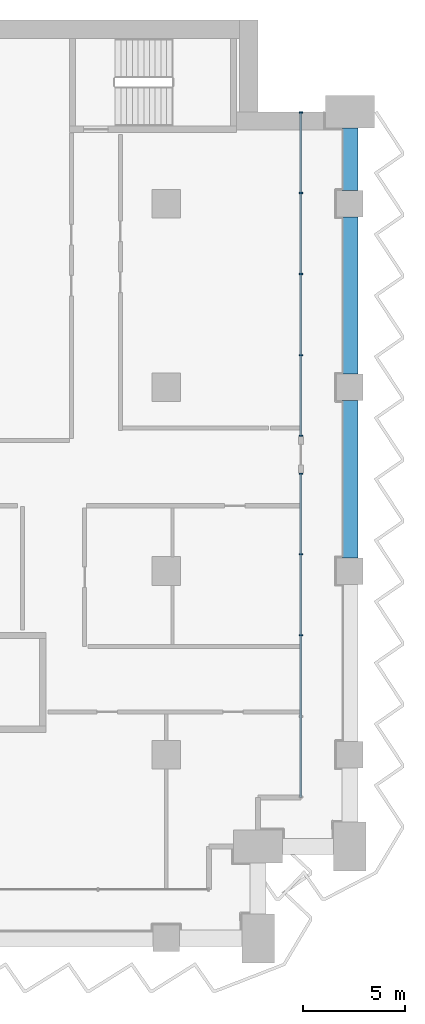
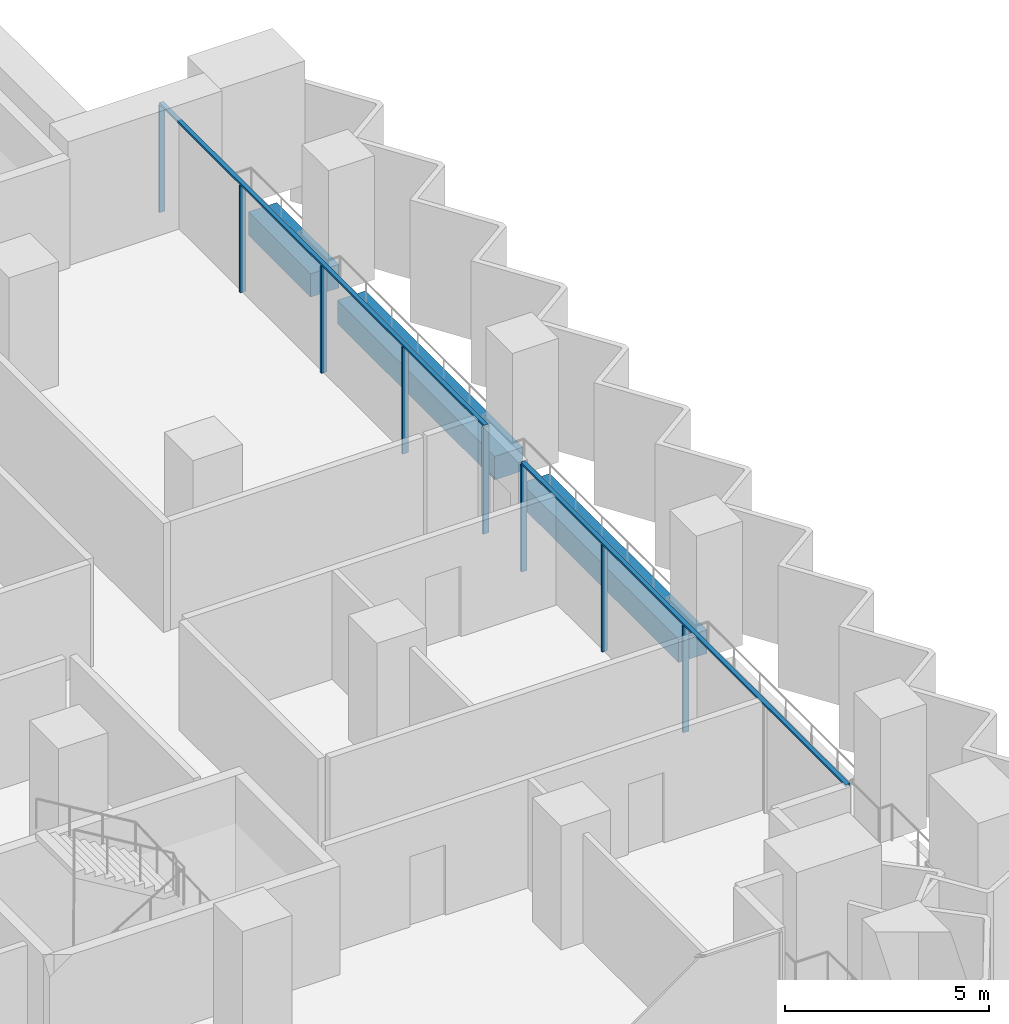
# One storey, part 7 of 28: 10 members, 3 beams, 2 elements without a shape of their own.
"""IFC4 building model written with IfcOpenShell, lengths in metres."""

from ifc_helpers import new_model, si_unit, direction, frame, origin, origin_2d, place, context, subcontext, project, spatial, rectangle, extrude, material, material_profile, profile_set, type_object, element, aggregate, save


model = new_model("IFC4")

# Units and contexts
model_context = context("Model", 3, precision=1e-05, world=origin(), true_north=direction((0.0, 1.0)))
body_context = subcontext(model_context, "Body", "Model", "MODEL_VIEW")
ifc_project = project(units=[si_unit("LENGTHUNIT", "METRE"), si_unit("AREAUNIT", "SQUARE_METRE"), si_unit("VOLUMEUNIT", "CUBIC_METRE"), si_unit("PLANEANGLEUNIT", "RADIAN"), si_unit("MASSUNIT", "GRAM", prefix="KILO")], contexts=[model_context])

# Site, building, storey
site_placement = place(None, origin())
site = spatial("IfcSite", under=ifc_project, at=site_placement, CompositionType="ELEMENT")
building_placement = place(site_placement, origin())
building = spatial("IfcBuilding", under=site, at=building_placement, Name="Hunhe Ridgeline Campus", CompositionType="ELEMENT")
storey_placement = place(building_placement, frame((0.0, 0.0, 76.5)))
storey = spatial("IfcBuildingStorey", under=building, at=storey_placement, Name="L18", CompositionType="ELEMENT", Elevation=76.5)

# Curtain wall, members
ifc_material_1 = material(Name="Aluminium 6063", Category="aluminium")
curtain_wall_type = type_object("IfcCurtainWallType", Name="Curtain wall CW-1", PredefinedType="NOTDEFINED", material=ifc_material_1)
curtain_wall_1_placement = place(storey_placement, origin())
curtain_wall_1 = element("IfcCurtainWall", 1, at=curtain_wall_1_placement, inside=storey, type_object=curtain_wall_type, Name="Curtain wall 15", PredefinedType="NOTDEFINED")
ifc_material_profile_1 = material_profile(ifc_material_1, rectangle(XDim=0.159912109375, YDim=0.06005859375, at=origin_2d()))
ifc_profile_set_1 = profile_set([ifc_material_profile_1], Name="Aluminium 6063")
member_type_1 = type_object("IfcMemberType", Name="CW-1 aluminium mullion", PredefinedType="MULLION", material=ifc_profile_set_1)
member_1_placement = place(storey_placement, frame((96.59912109375, 68.850830078125, 0.0), z_axis=(0.0, 0.0, 1.0), x_axis=(-1.0, 0.0, 0.0)))
member_1 = element("IfcMember", 2, at=member_1_placement, type_object=member_type_1, Name="CW-1 mullion 3", PredefinedType="MULLION", context=body_context, shape_type="SweptSolid", body=[
    extrude(rectangle(XDim=0.159912109375, YDim=0.06005859375, at=origin_2d()), origin(), (0.0, 0.0, 1.0), 3.18994140625),
])
member_2_placement = place(storey_placement, frame((96.59912109375, 72.82568359375, 0.0), z_axis=(0.0, 0.0, 1.0), x_axis=(-1.0, 0.0, 0.0)))
member_2 = element("IfcMember", 3, at=member_2_placement, type_object=member_type_1, Name="CW-1 mullion 4", PredefinedType="MULLION", context=body_context, shape_type="SweptSolid", body=[
    extrude(rectangle(XDim=0.159912109375, YDim=0.06005859375, at=origin_2d()), origin(), (0.0, 0.0, 1.0), 3.18994140625),
])
member_3_placement = place(storey_placement, frame((96.59912109375, 76.7705078125, 0.0), z_axis=(0.0, 0.0, 1.0), x_axis=(-1.0, 0.0, 0.0)))
member_3 = element("IfcMember", 4, at=member_3_placement, type_object=member_type_1, Name="CW-1 mullion 5", PredefinedType="MULLION", context=body_context, shape_type="SweptSolid", body=[
    extrude(rectangle(XDim=0.159912109375, YDim=0.06005859375, at=origin_2d()), origin(), (0.0, 0.0, 1.0), 3.18994140625),
])

curtain_wall_2_placement = place(storey_placement, origin())
curtain_wall_2 = element("IfcCurtainWall", 5, at=curtain_wall_2_placement, inside=storey, type_object=curtain_wall_type, Name="Curtain wall 16", PredefinedType="NOTDEFINED")
member_4_placement = place(storey_placement, frame((96.59912109375, 78.630615234375, 0.0), z_axis=(0.0, 0.0, 1.0), x_axis=(-1.0, 0.0, 0.0)))
member_4 = element("IfcMember", 6, at=member_4_placement, type_object=member_type_1, Name="CW-1 mullion 1", PredefinedType="MULLION", context=body_context, shape_type="SweptSolid", body=[
    extrude(rectangle(XDim=0.159912109375, YDim=0.06005859375, at=origin_2d()), origin(), (0.0, 0.0, 1.0), 3.18994140625),
])
member_5_placement = place(storey_placement, frame((96.59912109375, 82.575439453125, 0.0), z_axis=(0.0, 0.0, 1.0), x_axis=(-1.0, 0.0, 0.0)))
member_5 = element("IfcMember", 7, at=member_5_placement, type_object=member_type_1, Name="CW-1 mullion 2", PredefinedType="MULLION", context=body_context, shape_type="SweptSolid", body=[
    extrude(rectangle(XDim=0.159912109375, YDim=0.06005859375, at=origin_2d()), origin(), (0.0, 0.0, 1.0), 3.18994140625),
])
member_6_placement = place(storey_placement, frame((96.59912109375, 86.55029296875, 0.0), z_axis=(0.0, 0.0, 1.0), x_axis=(-1.0, 0.0, 0.0)))
member_6 = element("IfcMember", 8, at=member_6_placement, type_object=member_type_1, Name="CW-1 mullion 3", PredefinedType="MULLION", context=body_context, shape_type="SweptSolid", body=[
    extrude(rectangle(XDim=0.159912109375, YDim=0.06005859375, at=origin_2d()), origin(), (0.0, 0.0, 1.0), 3.18994140625),
])
member_7_placement = place(storey_placement, frame((96.59912109375, 90.525146484375, 0.0), z_axis=(0.0, 0.0, 1.0), x_axis=(-1.0, 0.0, 0.0)))
member_7 = element("IfcMember", 9, at=member_7_placement, type_object=member_type_1, Name="CW-1 mullion 4", PredefinedType="MULLION", context=body_context, shape_type="SweptSolid", body=[
    extrude(rectangle(XDim=0.159912109375, YDim=0.06005859375, at=origin_2d()), origin(), (0.0, 0.0, 1.0), 3.18994140625),
])
member_8_placement = place(storey_placement, frame((96.59912109375, 94.469970703125, 0.0), z_axis=(0.0, 0.0, 1.0), x_axis=(-1.0, 0.0, 0.0)))
member_8 = element("IfcMember", 10, at=member_8_placement, type_object=member_type_1, Name="CW-1 mullion 5", PredefinedType="MULLION", context=body_context, shape_type="SweptSolid", body=[
    extrude(rectangle(XDim=0.159912109375, YDim=0.06005859375, at=origin_2d()), origin(), (0.0, 0.0, 1.0), 3.18994140625),
])

# Member
ifc_material_profile_2 = material_profile(ifc_material_1, rectangle(XDim=0.1201171875, YDim=0.06005859375, at=origin_2d()))
ifc_profile_set_2 = profile_set([ifc_material_profile_2], Name="Aluminium 6063")
member_type_2 = type_object("IfcMemberType", Name="CW-1 aluminium transom", PredefinedType="USERDEFINED", material=ifc_profile_set_2)
member_9_placement = place(storey_placement, frame((96.59912109375, 60.90087890625, 3.219970703125), z_axis=(0.0, 1.0, 0.0), x_axis=(-1.0, 0.0, 0.0)))
member_9 = element("IfcMember", 11, at=member_9_placement, type_object=member_type_2, Name="CW-1 transom 1", ObjectType="TRANSOM", PredefinedType="USERDEFINED", context=body_context, shape_type="SweptSolid", body=[
    extrude(rectangle(XDim=0.1201171875, YDim=0.06005859375, at=origin_2d()), origin(), (0.0, 0.0, 1.0), 15.899658203125),
])

aggregate(curtain_wall_1, [member_9, member_1, member_2, member_3])

member_10_placement = place(storey_placement, frame((96.59912109375, 78.6005859375, 3.219970703125), z_axis=(0.0, 1.0, 0.0), x_axis=(-1.0, 0.0, 0.0)))
member_10 = element("IfcMember", 12, at=member_10_placement, type_object=member_type_2, Name="CW-1 transom 1", ObjectType="TRANSOM", PredefinedType="USERDEFINED", context=body_context, shape_type="SweptSolid", body=[
    extrude(rectangle(XDim=0.1201171875, YDim=0.06005859375, at=origin_2d()), origin(), (0.0, 0.0, 1.0), 15.8994140625),
])

aggregate(curtain_wall_2, [member_10, member_4, member_5, member_6, member_7, member_8])

# Beams
ifc_material_2 = material(Name="Concrete C60", Category="concrete")
ifc_material_profile_3 = material_profile(ifc_material_2, rectangle(XDim=0.800048828125, YDim=0.699951171875, at=origin_2d()))
ifc_profile_set_3 = profile_set([ifc_material_profile_3], Name="Concrete C60")
beam_type = type_object("IfcBeamType", Name="RC spandrel beam 800x700 Concrete C60", PredefinedType="SPANDREL", material=ifc_profile_set_3)
for number, where, z_axis, x_axis, name in (
    (13, (99.0, 72.64990234375, -0.60009765625), (0.0, 1.0, 0.0), (-1.0, 0.0, 0.0), "Spandrel beam B1-22 L18"),
    (14, (99.0, 81.64990234375, -0.60009765625), (0.0, 1.0, 0.0), (-1.0, 0.0, 0.0), "Spandrel beam B1-23 L18"),
):
    element("IfcBeam", number, at=place(storey_placement, frame(where, z_axis=z_axis, x_axis=x_axis)), inside=storey, type_object=beam_type, Name=name, PredefinedType="SPANDREL", context=body_context, shape_type="SweptSolid", body=[
        extrude(rectangle(XDim=0.800048828125, YDim=0.699951171875, at=origin_2d()), origin(), (0.0, 0.0, 1.0), 7.7001953125),
    ])
beam_placement = place(storey_placement, frame((99.0, 90.64990234375, -0.60009765625), z_axis=(0.0, 1.0, 0.0), x_axis=(-1.0, 0.0, 0.0)))
element("IfcBeam", 15, at=beam_placement, inside=storey, type_object=beam_type, Name="Spandrel beam B1-24 L18", PredefinedType="SPANDREL", context=body_context, shape_type="SweptSolid", body=[
    extrude(rectangle(XDim=0.800048828125, YDim=0.699951171875, at=origin_2d()), origin(), (0.0, 0.0, 1.0), 3.050048828125),
])

save(model, "model.ifc")
